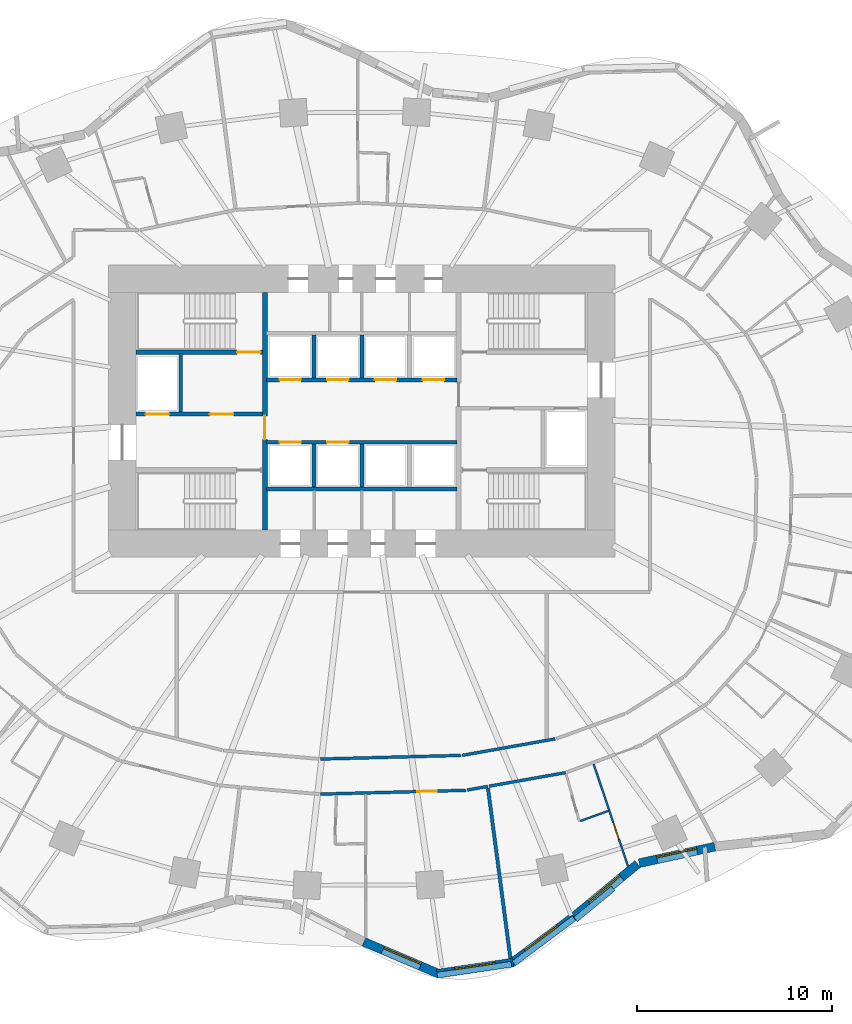
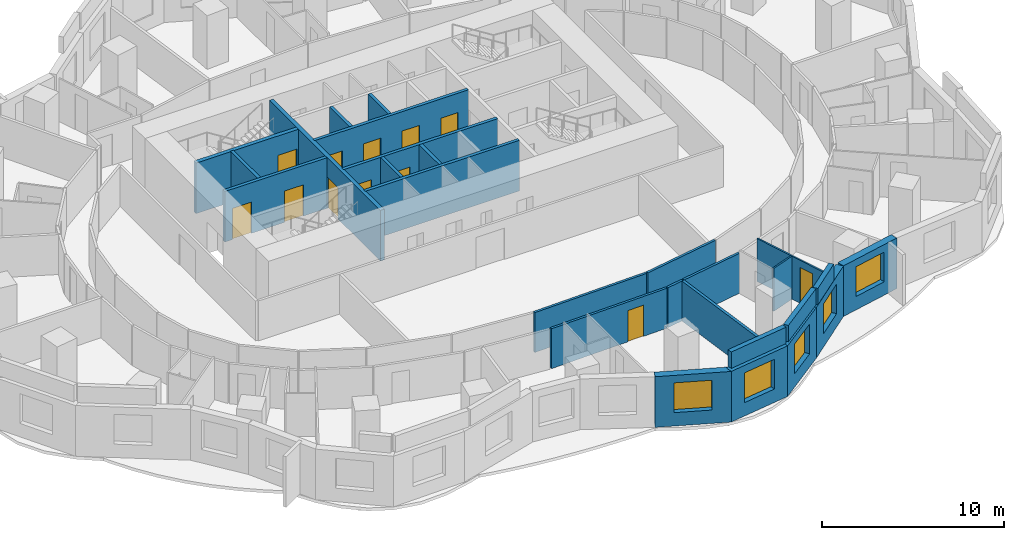
# One storey, part 5 of 11: 27 walls, 12 doors, 5 windows, 17 openings.
"""IFC4 building model written with IfcOpenShell, lengths in metres."""

from ifc_helpers import new_model, si_unit, direction, frame, frame_2d, origin, place, context, subcontext, project, spatial, rectangle, extrude, material, layer, layer_set, type_object, element, fill, save


model = new_model("IFC4")

# Units and contexts
model_context = context("Model", 3, precision=1e-05, world=origin(), true_north=direction((0.0, 1.0)))
body_context = subcontext(model_context, "Body", "Model", "MODEL_VIEW")
ifc_project = project(units=[si_unit("LENGTHUNIT", "METRE"), si_unit("AREAUNIT", "SQUARE_METRE"), si_unit("VOLUMEUNIT", "CUBIC_METRE"), si_unit("PLANEANGLEUNIT", "RADIAN"), si_unit("MASSUNIT", "GRAM", prefix="KILO")], contexts=[model_context])

# Site, building, storey
site_placement = place(None, origin())
site = spatial("IfcSite", under=ifc_project, at=site_placement, CompositionType="ELEMENT")
building_placement = place(site_placement, origin())
building = spatial("IfcBuilding", under=site, at=building_placement, Name="Rubra Terraces Tower", CompositionType="ELEMENT")
storey_placement = place(building_placement, frame((0.0, 0.0, 37.5)))
storey = spatial("IfcBuildingStorey", under=building, at=storey_placement, Name="L06", CompositionType="ELEMENT", Elevation=37.5)

# Wall
ifc_material_1 = material(Name="Twin plasterboard on staggered steel stud, acoustic mineral wool", Category="steel")
ifc_layer_1 = layer(ifc_material_1, 0.175048828125)
ifc_layer_set_1 = layer_set([ifc_layer_1], Name="Twin plasterboard on staggered steel stud, acoustic mineral wool")
wall_type_1 = type_object("IfcWallType", Name="ACOUSTIC PARTY WALL 175", PredefinedType="PARTITIONING", material=ifc_layer_set_1)
wall_1_placement = place(storey_placement, frame((7.632568359375, -23.60791015625, 0.0), z_axis=(0.0, 0.0, 1.0), x_axis=(-0.130729762954, 0.991418039516, 0.0)))
element("IfcWall", 1, at=wall_1_placement, inside=storey, type_object=wall_type_1, Name="PARTITION", PredefinedType="PARTITIONING", context=body_context, shape_type="SweptSolid", body=[
    extrude(rectangle(XDim=8.83349609375, YDim=0.175048828125, at=frame_2d((4.416748046875, 0.0))), origin(), (0.0, 0.0, 1.0), 2.679931640625),
])

# Wall, opening, window
ifc_material_2 = material(Name="Brick masonry red-brown", Category="masonry")
ifc_layer_2 = layer(ifc_material_2, 0.449951171875)
ifc_layer_set_2 = layer_set([ifc_layer_2], Name="Brick masonry red-brown")
wall_type_2 = type_object("IfcWallType", Name="Brick facade wall 450", PredefinedType="SOLIDWALL", material=ifc_layer_set_2)
wall_2_placement = place(storey_placement, frame((0.103271484375, -22.7578125, 0.0), z_axis=(0.0, 0.0, 1.0), x_axis=(0.920037498786, -0.391830321475, 0.0)))
wall_2 = element("IfcWall", 2, at=wall_2_placement, inside=storey, type_object=wall_type_2, Name="Facade wall L06 bay 31", PredefinedType="SOLIDWALL", context=body_context, shape_type="SweptSolid", body=[
    extrude(rectangle(XDim=4.219482421875, YDim=0.449951171875, at=frame_2d((2.10986328125, 0.0))), origin(), (0.0, 0.0, 1.0), 3.39990234375),
])
opening_1_placement = place(wall_2_placement, frame((1.059814453125, 0.0, 0.89990234375)))
opening_1 = element("IfcOpeningElement", 3, at=opening_1_placement, cuts=wall_2, Name="Opening W1", PredefinedType="OPENING", context=body_context, shape_type="SweptSolid", body=[
    extrude(rectangle(XDim=2.10009765625, YDim=2.0, at=frame_2d((1.050048828125, 1.0))), frame((0.0, 0.23486328125, 0.0), z_axis=(0.0, -1.0, 0.0), x_axis=(1.0, 0.0, 0.0)), (0.0, 0.0, 1.0), 0.469970703125),
])
ifc_material_3 = material(Name="Clear glass in aluminium frame", Category="aluminium")
window_type = type_object("IfcWindowType", Name="Fixed deep-set window 2100 x 2000", PartitioningType="SINGLE_PANEL", PredefinedType="WINDOW", material=ifc_material_3)
window_1_placement = place(opening_1_placement, origin())
window_1 = element("IfcWindow", 4, at=window_1_placement, inside=storey, type_object=window_type, Name="Window L06 bay 31", OverallHeight=2.0, OverallWidth=2.10009765625, PartitioningType="SINGLE_PANEL", PredefinedType="WINDOW", context=body_context, shape_type="SweptSolid", body=[
    extrude(rectangle(XDim=2.10009765625, YDim=2.0, at=frame_2d((1.050048828125, 1.0))), frame((0.0, 0.135009765625, 0.0), z_axis=(0.0, -1.0, 0.0), x_axis=(1.0, 0.0, 0.0)), (0.0, 0.0, 1.0), 0.06005859375),
])
fill(opening_1, window_1)

wall_3_placement = place(storey_placement, frame((3.8662109375, -24.396484375, 0.0), z_axis=(0.0, 0.0, 1.0), x_axis=(0.989255112942, 0.146199594798, 0.0)))
wall_3 = element("IfcWall", 5, at=wall_3_placement, inside=storey, type_object=wall_type_2, Name="Facade wall L06 bay 32", PredefinedType="SOLIDWALL", context=body_context, shape_type="SweptSolid", body=[
    extrude(rectangle(XDim=3.954345703125, YDim=0.449951171875, at=frame_2d((1.97705078125, 0.0))), origin(), (0.0, 0.0, 1.0), 3.39990234375),
])
opening_2_placement = place(wall_3_placement, frame((0.92724609375, 0.0, 0.89990234375)))
opening_2 = element("IfcOpeningElement", 6, at=opening_2_placement, cuts=wall_3, Name="Opening W1", PredefinedType="OPENING", context=body_context, shape_type="SweptSolid", body=[
    extrude(rectangle(XDim=2.10009765625, YDim=2.0, at=frame_2d((1.050048828125, 1.0))), frame((0.0, 0.23486328125, 0.0), z_axis=(0.0, -1.0, 0.0), x_axis=(1.0, 0.0, 0.0)), (0.0, 0.0, 1.0), 0.469970703125),
])
window_2_placement = place(opening_2_placement, origin())
window_2 = element("IfcWindow", 7, at=window_2_placement, inside=storey, type_object=window_type, Name="Window L06 bay 32", OverallHeight=2.0, OverallWidth=2.10009765625, PartitioningType="SINGLE_PANEL", PredefinedType="WINDOW", context=body_context, shape_type="SweptSolid", body=[
    extrude(rectangle(XDim=2.10009765625, YDim=2.0, at=frame_2d((1.050048828125, 1.0))), frame((0.0, 0.135009765625, 0.0), z_axis=(0.0, -1.0, 0.0), x_axis=(1.0, 0.0, 0.0)), (0.0, 0.0, 1.0), 0.06005859375),
])
fill(opening_2, window_2)

wall_4_placement = place(storey_placement, frame((7.678466796875, -23.859130859375, 0.0), z_axis=(0.0, 0.0, 1.0), x_axis=(0.801665619573, 0.597772728046, 0.0)))
wall_4 = element("IfcWall", 8, at=wall_4_placement, inside=storey, type_object=wall_type_2, Name="Facade wall L06 bay 33", PredefinedType="SOLIDWALL", context=body_context, shape_type="SweptSolid", body=[
    extrude(rectangle(XDim=4.0029296875, YDim=0.449951171875, at=frame_2d((2.00146484375, 0.0))), origin(), (0.0, 0.0, 1.0), 3.39990234375),
])
opening_3_placement = place(wall_4_placement, frame((0.951416015625, 0.0, 0.89990234375)))
opening_3 = element("IfcOpeningElement", 9, at=opening_3_placement, cuts=wall_4, Name="Opening W1", PredefinedType="OPENING", context=body_context, shape_type="SweptSolid", body=[
    extrude(rectangle(XDim=2.10009765625, YDim=2.0, at=frame_2d((1.050048828125, 1.0))), frame((0.0, 0.23486328125, 0.0), z_axis=(0.0, -1.0, 0.0), x_axis=(1.0, 0.0, 0.0)), (0.0, 0.0, 1.0), 0.469970703125),
])
window_3_placement = place(opening_3_placement, origin())
window_3 = element("IfcWindow", 10, at=window_3_placement, inside=storey, type_object=window_type, Name="Window L06 bay 33", OverallHeight=2.0, OverallWidth=2.10009765625, PartitioningType="SINGLE_PANEL", PredefinedType="WINDOW", context=body_context, shape_type="SweptSolid", body=[
    extrude(rectangle(XDim=2.10009765625, YDim=2.0, at=frame_2d((1.050048828125, 1.0))), frame((0.0, 0.135009765625, 0.0), z_axis=(0.0, -1.0, 0.0), x_axis=(1.0, 0.0, 0.0)), (0.0, 0.0, 1.0), 0.06005859375),
])
fill(opening_3, window_3)

wall_5_placement = place(storey_placement, frame((10.878662109375, -21.473388671875, 0.0), z_axis=(0.0, 0.0, 1.0), x_axis=(0.77124668946, 0.636536365023, 0.0)))
wall_5 = element("IfcWall", 11, at=wall_5_placement, inside=storey, type_object=wall_type_2, Name="Facade wall L06 bay 34", PredefinedType="SOLIDWALL", context=body_context, shape_type="SweptSolid", body=[
    extrude(rectangle(XDim=4.2607421875, YDim=0.449951171875, at=frame_2d((2.13037109375, 0.0))), origin(), (0.0, 0.0, 1.0), 3.39990234375),
])
opening_4_placement = place(wall_5_placement, frame((1.080322265625, 0.0, 0.89990234375)))
opening_4 = element("IfcOpeningElement", 12, at=opening_4_placement, cuts=wall_5, Name="Opening W1", PredefinedType="OPENING", context=body_context, shape_type="SweptSolid", body=[
    extrude(rectangle(XDim=2.10009765625, YDim=2.0, at=frame_2d((1.050048828125, 1.0))), frame((0.0, 0.23486328125, 0.0), z_axis=(0.0, -1.0, 0.0), x_axis=(1.0, 0.0, 0.0)), (0.0, 0.0, 1.0), 0.469970703125),
])
window_4_placement = place(opening_4_placement, origin())
window_4 = element("IfcWindow", 13, at=window_4_placement, inside=storey, type_object=window_type, Name="Window L06 bay 34", OverallHeight=2.0, OverallWidth=2.10009765625, PartitioningType="SINGLE_PANEL", PredefinedType="WINDOW", context=body_context, shape_type="SweptSolid", body=[
    extrude(rectangle(XDim=2.10009765625, YDim=2.0, at=frame_2d((1.050048828125, 1.0))), frame((0.0, 0.135009765625, 0.0), z_axis=(0.0, -1.0, 0.0), x_axis=(1.0, 0.0, 0.0)), (0.0, 0.0, 1.0), 0.06005859375),
])
fill(opening_4, window_4)

wall_6_placement = place(storey_placement, frame((14.250732421875, -18.71826171875, 0.0), z_axis=(0.0, 0.0, 1.0), x_axis=(0.976903627618, 0.213680374267, 0.0)))
wall_6 = element("IfcWall", 14, at=wall_6_placement, inside=storey, type_object=wall_type_2, Name="Facade wall L06 bay 35", PredefinedType="SOLIDWALL", context=body_context, shape_type="SweptSolid", body=[
    extrude(rectangle(XDim=3.970458984375, YDim=0.449951171875, at=frame_2d((1.9853515625, 0.0))), origin(), (0.0, 0.0, 1.0), 3.39990234375),
])
opening_5_placement = place(wall_6_placement, frame((0.93505859375, 0.0, 0.89990234375)))
opening_5 = element("IfcOpeningElement", 15, at=opening_5_placement, cuts=wall_6, Name="Opening W1", PredefinedType="OPENING", context=body_context, shape_type="SweptSolid", body=[
    extrude(rectangle(XDim=2.10009765625, YDim=2.0, at=frame_2d((1.050048828125, 1.0))), frame((0.0, 0.23486328125, 0.0), z_axis=(0.0, -1.0, 0.0), x_axis=(1.0, 0.0, 0.0)), (0.0, 0.0, 1.0), 0.469970703125),
])
window_5_placement = place(opening_5_placement, origin())
window_5 = element("IfcWindow", 16, at=window_5_placement, inside=storey, type_object=window_type, Name="Window L06 bay 35", OverallHeight=2.0, OverallWidth=2.10009765625, PartitioningType="SINGLE_PANEL", PredefinedType="WINDOW", context=body_context, shape_type="SweptSolid", body=[
    extrude(rectangle(XDim=2.10009765625, YDim=2.0, at=frame_2d((1.050048828125, 1.0))), frame((0.0, 0.135009765625, 0.0), z_axis=(0.0, -1.0, 0.0), x_axis=(1.0, 0.0, 0.0)), (0.0, 0.0, 1.0), 0.06005859375),
])
fill(opening_5, window_5)

# Walls
ifc_layer_3 = layer(ifc_material_2, 0.300048828125)
ifc_layer_set_3 = layer_set([ifc_layer_3], Name="Brick masonry red-brown")
wall_type_3 = type_object("IfcWallType", Name="Brick parapet 300", PredefinedType="PARAPET", material=ifc_layer_set_3)
wall_7_placement = place(storey_placement, frame((3.877197265625, -24.470703125, 3.60009765625), z_axis=(0.0, 0.0, 1.0), x_axis=(0.989252791024, 0.146215305118, 0.0)))
element("IfcWall", 17, at=wall_7_placement, inside=storey, type_object=wall_type_3, Name="Parapet L06 bay 32", PredefinedType="PARAPET", context=body_context, shape_type="SweptSolid", body=[
    extrude(rectangle(XDim=3.8486328125, YDim=0.300048828125, at=frame_2d((1.92431640625, 0.0))), origin(), (0.0, 0.0, 1.0), 1.099853515625),
])
wall_8_placement = place(storey_placement, frame((7.80615234375, -23.857666015625, 3.60009765625), z_axis=(0.0, 0.0, 1.0), x_axis=(0.801649538596, 0.597794293439, 0.0)))
element("IfcWall", 18, at=wall_8_placement, inside=storey, type_object=wall_type_3, Name="Parapet L06 bay 33", PredefinedType="PARAPET", context=body_context, shape_type="SweptSolid", body=[
    extrude(rectangle(XDim=3.86474609375, YDim=0.300048828125, at=frame_2d((1.932373046875, 0.0))), origin(), (0.0, 0.0, 1.0), 1.099853515625),
])
wall_9_placement = place(storey_placement, frame((10.981689453125, -21.60107421875, 3.60009765625), z_axis=(0.0, 0.0, 1.0), x_axis=(0.771295342686, 0.636477410715, 0.0)))
element("IfcWall", 19, at=wall_9_placement, inside=storey, type_object=wall_type_3, Name="Parapet L06 bay 34", PredefinedType="PARAPET", context=body_context, shape_type="SweptSolid", body=[
    extrude(rectangle(XDim=2.4990234375, YDim=0.300048828125, at=frame_2d((1.24951171875, 0.0))), origin(), (0.0, 0.0, 1.0), 1.099853515625),
])

# Wall, opening, door
ifc_material_4 = material(Name="Plasterboard on steel stud, mineral wool infill", Category="steel")
ifc_layer_4 = layer(ifc_material_4, 0.14990234375)
ifc_layer_set_4 = layer_set([ifc_layer_4], Name="Plasterboard on steel stud, mineral wool infill")
wall_type_4 = type_object("IfcWallType", Name="CORRIDOR PARTITION 150", PredefinedType="PARTITIONING", material=ifc_layer_set_4)
wall_10_placement = place(storey_placement, frame((-2.114013671875, -15.170166015625, 0.0), z_axis=(0.0, 0.0, 1.0), x_axis=(0.999661895531, 0.026001819598, 0.0)))
wall_10 = element("IfcWall", 20, at=wall_10_placement, inside=storey, type_object=wall_type_4, Name="PARTITION", PredefinedType="PARTITIONING", context=body_context, shape_type="SweptSolid", body=[
    extrude(rectangle(XDim=7.455078125, YDim=0.14990234375, at=frame_2d((3.7275390625, 0.0))), origin(), (0.0, 0.0, 1.0), 2.679931640625),
])
opening_6_placement = place(wall_10_placement, frame((4.9541015625, 0.0, 0.0)))
opening_6 = element("IfcOpeningElement", 21, at=opening_6_placement, cuts=wall_10, Name="Opening 06-125", PredefinedType="OPENING", context=body_context, shape_type="SweptSolid", body=[
    extrude(rectangle(XDim=1.0, YDim=2.10009765625, at=frame_2d((0.5, 1.050048828125))), frame((0.0, 0.0849609375, 0.0), z_axis=(0.0, -1.0, 0.0), x_axis=(1.0, 0.0, 0.0)), (0.0, 0.0, 1.0), 0.169921875),
])
ifc_material_5 = material(Name="Painted timber door leaf", Category="wood")
door_type_1 = type_object("IfcDoorType", Name="ROOM DOOR 1000 X 2100", OperationType="SINGLE_SWING_LEFT", PredefinedType="DOOR", material=ifc_material_5)
door_1_placement = place(opening_6_placement, origin())
door_1 = element("IfcDoor", 22, at=door_1_placement, inside=storey, type_object=door_type_1, Name="DOOR 06-125", OperationType="SINGLE_SWING_RIGHT", OverallHeight=2.10009765625, OverallWidth=1.0, PredefinedType="DOOR", context=body_context, shape_type="SweptSolid", body=[
    extrude(rectangle(XDim=1.0, YDim=2.10009765625, at=frame_2d((0.5, 1.050048828125))), frame((0.0, 0.02490234375, 0.0), z_axis=(0.0, -1.0, 0.0), x_axis=(1.0, 0.0, 0.0)), (0.0, 0.0, 1.0), 0.050048828125),
])
fill(opening_6, door_1)

# Walls
wall_11_placement = place(storey_placement, frame((5.41259765625, -14.963134765625, 0.0), z_axis=(0.0, 0.0, 1.0), x_axis=(0.984622634161, 0.174694786121, 0.0)))
element("IfcWall", 23, at=wall_11_placement, inside=storey, type_object=wall_type_4, Name="PARTITION", PredefinedType="PARTITIONING", context=body_context, shape_type="SweptSolid", body=[
    extrude(rectangle(XDim=1.072021484375, YDim=0.14990234375, at=frame_2d((0.5361328125, 0.0))), origin(), (0.0, 0.0, 1.0), 2.679931640625),
])
wall_12_placement = place(storey_placement, frame((6.5419921875, -14.762939453125, 0.0), z_axis=(0.0, 0.0, 1.0), x_axis=(0.984628016341, 0.174664448116, 0.0)))
element("IfcWall", 24, at=wall_12_placement, inside=storey, type_object=wall_type_4, Name="PARTITION", PredefinedType="PARTITIONING", context=body_context, shape_type="SweptSolid", body=[
    extrude(rectangle(XDim=3.991943359375, YDim=0.14990234375, at=frame_2d((1.99609375, 0.0))), origin(), (0.0, 0.0, 1.0), 2.679931640625),
])
wall_13_placement = place(storey_placement, frame((9.93017578125, -12.333984375, 0.0), z_axis=(0.0, 0.0, 1.0), x_axis=(-0.984638212434, -0.174606960386, 0.0)))
element("IfcWall", 25, at=wall_13_placement, inside=storey, type_object=wall_type_4, Name="PARTITION", PredefinedType="PARTITIONING", context=body_context, shape_type="SweptSolid", body=[
    extrude(rectangle(XDim=4.84765625, YDim=0.14990234375, at=frame_2d((2.423828125, 0.0))), origin(), (0.0, 0.0, 1.0), 2.679931640625),
])
wall_14_placement = place(storey_placement, frame((5.08203125, -13.182373046875, 0.0), z_axis=(0.0, 0.0, 1.0), x_axis=(-0.999661624383, -0.026012242045, 0.0)))
element("IfcWall", 26, at=wall_14_placement, inside=storey, type_object=wall_type_4, Name="PARTITION", PredefinedType="PARTITIONING", context=body_context, shape_type="SweptSolid", body=[
    extrude(rectangle(XDim=7.217529296875, YDim=0.14990234375, at=frame_2d((3.60888671875, 0.0))), origin(), (0.0, 0.0, 1.0), 2.679931640625),
])

# Wall, openings, doors
ifc_material_6 = material(Name="Concrete C30", Category="concrete")
ifc_layer_5 = layer(ifc_material_6, 0.199951171875)
ifc_layer_set_5 = layer_set([ifc_layer_5], Name="Concrete C30")
wall_type_5 = type_object("IfcWallType", Name="Core wall 200 concrete", PredefinedType="SOLIDWALL", material=ifc_layer_set_5)
wall_15_placement = place(storey_placement, frame((-11.60009765625, 4.35009765625, 0.0), z_axis=(0.0, 0.0, 1.0), x_axis=(1.0, 0.0, 0.0)))
wall_15 = element("IfcWall", 27, at=wall_15_placement, inside=storey, type_object=wall_type_5, Name="STAIR WALL L06", PredefinedType="SOLIDWALL", context=body_context, shape_type="SweptSolid", body=[
    extrude(rectangle(XDim=6.5, YDim=0.199951171875, at=frame_2d((3.25, 0.0))), origin(), (0.0, 0.0, 1.0), 3.39990234375),
])
opening_7_placement = place(wall_15_placement, frame((3.800048828125, 0.0, 0.0)))
opening_7 = element("IfcOpeningElement", 28, at=opening_7_placement, cuts=wall_15, Name="Opening L06.C05", PredefinedType="OPENING", context=body_context, shape_type="SweptSolid", body=[
    extrude(rectangle(XDim=1.199951171875, YDim=2.10009765625, at=frame_2d((0.60009765625, 1.050048828125))), frame((0.0, 0.10986328125, 0.0), z_axis=(0.0, -1.0, 0.0), x_axis=(1.0, 0.0, 0.0)), (0.0, 0.0, 1.0), 0.219970703125),
])
opening_8_placement = place(wall_15_placement, frame((0.5, 0.0, 0.0)))
opening_8 = element("IfcOpeningElement", 29, at=opening_8_placement, cuts=wall_15, Name="Opening L06.C11", PredefinedType="OPENING", context=body_context, shape_type="SweptSolid", body=[
    extrude(rectangle(XDim=1.199951171875, YDim=2.10009765625, at=frame_2d((0.60009765625, 1.050048828125))), frame((0.0, 0.10986328125, 0.0), z_axis=(0.0, -1.0, 0.0), x_axis=(1.0, 0.0, 0.0)), (0.0, 0.0, 1.0), 0.219970703125),
])
ifc_material_7 = material(Name="Painted steel", Category="steel")
door_type_2 = type_object("IfcDoorType", Name="Fire door 1200x2100 single", OperationType="NOTDEFINED", PredefinedType="DOOR", material=ifc_material_7)
door_2_placement = place(opening_7_placement, origin())
door_2 = element("IfcDoor", 30, at=door_2_placement, inside=storey, type_object=door_type_2, Name="Stair vestibule door S2", OperationType="SINGLE_SWING_LEFT", OverallHeight=2.10009765625, OverallWidth=1.199951171875, PredefinedType="DOOR", context=body_context, shape_type="SweptSolid", body=[
    extrude(rectangle(XDim=1.199951171875, YDim=2.10009765625, at=frame_2d((0.60009765625, 1.050048828125))), frame((0.0, 0.02490234375, 0.0), z_axis=(0.0, -1.0, 0.0), x_axis=(1.0, 0.0, 0.0)), (0.0, 0.0, 1.0), 0.050048828125),
])
fill(opening_7, door_2)
ifc_material_8 = material(Name="Stainless steel", Category="steel")
door_type_3 = type_object("IfcDoorType", Name="Lift landing door 1200x2100", OperationType="NOTDEFINED", PredefinedType="DOOR", material=ifc_material_8)
door_3_placement = place(opening_8_placement, origin())
door_3 = element("IfcDoor", 31, at=door_3_placement, inside=storey, type_object=door_type_3, Name="Landing door FF1", OperationType="SLIDING_TO_RIGHT", OverallHeight=2.10009765625, OverallWidth=1.199951171875, PredefinedType="DOOR", context=body_context, shape_type="SweptSolid", body=[
    extrude(rectangle(XDim=1.199951171875, YDim=2.10009765625, at=frame_2d((0.60009765625, 1.050048828125))), frame((0.0, 0.02490234375, 0.0), z_axis=(0.0, -1.0, 0.0), x_axis=(1.0, 0.0, 0.0)), (0.0, 0.0, 1.0), 0.050048828125),
])
fill(opening_8, door_3)

# Walls
wall_16_placement = place(storey_placement, frame((-9.300048828125, 4.449951171875, 0.0), z_axis=(0.0, 0.0, 1.0), x_axis=(0.0, 1.0, 0.0)))
element("IfcWall", 32, at=wall_16_placement, inside=storey, type_object=wall_type_5, Name="STAIR WALL L06", PredefinedType="SOLIDWALL", context=body_context, shape_type="SweptSolid", body=[
    extrude(rectangle(XDim=3.0, YDim=0.199951171875, at=frame_2d((1.5, 0.0))), origin(), (0.0, 0.0, 1.0), 3.39990234375),
])
wall_17_placement = place(storey_placement, frame((-4.89990234375, 0.5, 0.0), z_axis=(0.0, 0.0, 1.0), x_axis=(1.0, 0.0, 0.0)))
element("IfcWall", 33, at=wall_17_placement, inside=storey, type_object=wall_type_5, Name="LIFT SHAFT WALL L06", PredefinedType="SOLIDWALL", context=body_context, shape_type="SweptSolid", body=[
    extrude(rectangle(XDim=9.7998046875, YDim=0.199951171875, at=frame_2d((4.89990234375, 0.0))), origin(), (0.0, 0.0, 1.0), 3.39990234375),
])

# Wall, openings, doors
wall_18_placement = place(storey_placement, frame((-4.89990234375, 2.89990234375, 0.0), z_axis=(0.0, 0.0, 1.0), x_axis=(1.0, 0.0, 0.0)))
wall_18 = element("IfcWall", 34, at=wall_18_placement, inside=storey, type_object=wall_type_5, Name="LIFT SHAFT WALL L06", PredefinedType="SOLIDWALL", context=body_context, shape_type="SweptSolid", body=[
    extrude(rectangle(XDim=9.7998046875, YDim=0.199951171875, at=frame_2d((4.89990234375, 0.0))), origin(), (0.0, 0.0, 1.0), 3.39990234375),
])
opening_9_placement = place(wall_18_placement, frame((0.675048828125, 0.0, 0.0)))
opening_9 = element("IfcOpeningElement", 35, at=opening_9_placement, cuts=wall_18, Name="Opening L06.C13", PredefinedType="OPENING", context=body_context, shape_type="SweptSolid", body=[
    extrude(rectangle(XDim=1.10009765625, YDim=2.10009765625, at=frame_2d((0.550048828125, 1.050048828125))), frame((0.0, 0.10986328125, 0.0), z_axis=(0.0, -1.0, 0.0), x_axis=(1.0, 0.0, 0.0)), (0.0, 0.0, 1.0), 0.219970703125),
])
opening_10_placement = place(wall_18_placement, frame((3.125, 0.0, 0.0)))
opening_10 = element("IfcOpeningElement", 36, at=opening_10_placement, cuts=wall_18, Name="Opening L06.C14", PredefinedType="OPENING", context=body_context, shape_type="SweptSolid", body=[
    extrude(rectangle(XDim=1.10009765625, YDim=2.10009765625, at=frame_2d((0.550048828125, 1.050048828125))), frame((0.0, 0.10986328125, 0.0), z_axis=(0.0, -1.0, 0.0), x_axis=(1.0, 0.0, 0.0)), (0.0, 0.0, 1.0), 0.219970703125),
])
door_type_4 = type_object("IfcDoorType", Name="Lift landing door 1100x2100", OperationType="NOTDEFINED", PredefinedType="DOOR", material=ifc_material_8)
door_4_placement = place(opening_9_placement, origin())
door_4 = element("IfcDoor", 37, at=door_4_placement, inside=storey, type_object=door_type_4, Name="Landing door LB1", OperationType="SLIDING_TO_RIGHT", OverallHeight=2.10009765625, OverallWidth=1.10009765625, PredefinedType="DOOR", context=body_context, shape_type="SweptSolid", body=[
    extrude(rectangle(XDim=1.10009765625, YDim=2.10009765625, at=frame_2d((0.550048828125, 1.050048828125))), frame((0.0, 0.02490234375, 0.0), z_axis=(0.0, -1.0, 0.0), x_axis=(1.0, 0.0, 0.0)), (0.0, 0.0, 1.0), 0.050048828125),
])
fill(opening_9, door_4)
door_5_placement = place(opening_10_placement, origin())
door_5 = element("IfcDoor", 38, at=door_5_placement, inside=storey, type_object=door_type_4, Name="Landing door LB2", OperationType="SLIDING_TO_LEFT", OverallHeight=2.10009765625, OverallWidth=1.10009765625, PredefinedType="DOOR", context=body_context, shape_type="SweptSolid", body=[
    extrude(rectangle(XDim=1.10009765625, YDim=2.10009765625, at=frame_2d((0.550048828125, 1.050048828125))), frame((0.0, 0.02490234375, 0.0), z_axis=(0.0, -1.0, 0.0), x_axis=(1.0, 0.0, 0.0)), (0.0, 0.0, 1.0), 0.050048828125),
])
fill(opening_10, door_5)

wall_19_placement = place(storey_placement, frame((-4.89990234375, 6.10009765625, 0.0), z_axis=(0.0, 0.0, 1.0), x_axis=(1.0, 0.0, 0.0)))
wall_19 = element("IfcWall", 39, at=wall_19_placement, inside=storey, type_object=wall_type_5, Name="LIFT SHAFT WALL L06", PredefinedType="SOLIDWALL", context=body_context, shape_type="SweptSolid", body=[
    extrude(rectangle(XDim=9.7998046875, YDim=0.199951171875, at=frame_2d((4.89990234375, 0.0))), origin(), (0.0, 0.0, 1.0), 3.39990234375),
])
opening_11_placement = place(wall_19_placement, frame((0.675048828125, 0.0, 0.0)))
opening_11 = element("IfcOpeningElement", 40, at=opening_11_placement, cuts=wall_19, Name="Opening L06.C15", PredefinedType="OPENING", context=body_context, shape_type="SweptSolid", body=[
    extrude(rectangle(XDim=1.10009765625, YDim=2.10009765625, at=frame_2d((0.550048828125, 1.050048828125))), frame((0.0, 0.10986328125, 0.0), z_axis=(0.0, -1.0, 0.0), x_axis=(1.0, 0.0, 0.0)), (0.0, 0.0, 1.0), 0.219970703125),
])
opening_12_placement = place(wall_19_placement, frame((3.125, 0.0, 0.0)))
opening_12 = element("IfcOpeningElement", 41, at=opening_12_placement, cuts=wall_19, Name="Opening L06.C16", PredefinedType="OPENING", context=body_context, shape_type="SweptSolid", body=[
    extrude(rectangle(XDim=1.10009765625, YDim=2.10009765625, at=frame_2d((0.550048828125, 1.050048828125))), frame((0.0, 0.10986328125, 0.0), z_axis=(0.0, -1.0, 0.0), x_axis=(1.0, 0.0, 0.0)), (0.0, 0.0, 1.0), 0.219970703125),
])
opening_13_placement = place(wall_19_placement, frame((5.574951171875, 0.0, 0.0)))
opening_13 = element("IfcOpeningElement", 42, at=opening_13_placement, cuts=wall_19, Name="Opening L06.C17", PredefinedType="OPENING", context=body_context, shape_type="SweptSolid", body=[
    extrude(rectangle(XDim=1.10009765625, YDim=2.10009765625, at=frame_2d((0.550048828125, 1.050048828125))), frame((0.0, 0.10986328125, 0.0), z_axis=(0.0, -1.0, 0.0), x_axis=(1.0, 0.0, 0.0)), (0.0, 0.0, 1.0), 0.219970703125),
])
opening_14_placement = place(wall_19_placement, frame((8.02490234375, 0.0, 0.0)))
opening_14 = element("IfcOpeningElement", 43, at=opening_14_placement, cuts=wall_19, Name="Opening L06.C18", PredefinedType="OPENING", context=body_context, shape_type="SweptSolid", body=[
    extrude(rectangle(XDim=1.10009765625, YDim=2.10009765625, at=frame_2d((0.550048828125, 1.050048828125))), frame((0.0, 0.10986328125, 0.0), z_axis=(0.0, -1.0, 0.0), x_axis=(1.0, 0.0, 0.0)), (0.0, 0.0, 1.0), 0.219970703125),
])
door_6_placement = place(opening_11_placement, origin())
door_6 = element("IfcDoor", 44, at=door_6_placement, inside=storey, type_object=door_type_4, Name="Landing door LB3", OperationType="SLIDING_TO_RIGHT", OverallHeight=2.10009765625, OverallWidth=1.10009765625, PredefinedType="DOOR", context=body_context, shape_type="SweptSolid", body=[
    extrude(rectangle(XDim=1.10009765625, YDim=2.10009765625, at=frame_2d((0.550048828125, 1.050048828125))), frame((0.0, 0.02490234375, 0.0), z_axis=(0.0, -1.0, 0.0), x_axis=(1.0, 0.0, 0.0)), (0.0, 0.0, 1.0), 0.050048828125),
])
fill(opening_11, door_6)
door_7_placement = place(opening_12_placement, origin())
door_7 = element("IfcDoor", 45, at=door_7_placement, inside=storey, type_object=door_type_4, Name="Landing door LB4", OperationType="SLIDING_TO_LEFT", OverallHeight=2.10009765625, OverallWidth=1.10009765625, PredefinedType="DOOR", context=body_context, shape_type="SweptSolid", body=[
    extrude(rectangle(XDim=1.10009765625, YDim=2.10009765625, at=frame_2d((0.550048828125, 1.050048828125))), frame((0.0, 0.02490234375, 0.0), z_axis=(0.0, -1.0, 0.0), x_axis=(1.0, 0.0, 0.0)), (0.0, 0.0, 1.0), 0.050048828125),
])
fill(opening_12, door_7)
door_8_placement = place(opening_13_placement, origin())
door_8 = element("IfcDoor", 46, at=door_8_placement, inside=storey, type_object=door_type_4, Name="Landing door LB5", OperationType="SLIDING_TO_RIGHT", OverallHeight=2.10009765625, OverallWidth=1.10009765625, PredefinedType="DOOR", context=body_context, shape_type="SweptSolid", body=[
    extrude(rectangle(XDim=1.10009765625, YDim=2.10009765625, at=frame_2d((0.550048828125, 1.050048828125))), frame((0.0, 0.02490234375, 0.0), z_axis=(0.0, -1.0, 0.0), x_axis=(1.0, 0.0, 0.0)), (0.0, 0.0, 1.0), 0.050048828125),
])
fill(opening_13, door_8)
door_9_placement = place(opening_14_placement, origin())
door_9 = element("IfcDoor", 47, at=door_9_placement, inside=storey, type_object=door_type_4, Name="Landing door LB6", OperationType="SLIDING_TO_LEFT", OverallHeight=2.10009765625, OverallWidth=1.10009765625, PredefinedType="DOOR", context=body_context, shape_type="SweptSolid", body=[
    extrude(rectangle(XDim=1.10009765625, YDim=2.10009765625, at=frame_2d((0.550048828125, 1.050048828125))), frame((0.0, 0.02490234375, 0.0), z_axis=(0.0, -1.0, 0.0), x_axis=(1.0, 0.0, 0.0)), (0.0, 0.0, 1.0), 0.050048828125),
])
fill(opening_14, door_9)

# Walls
for number, where, z_axis, x_axis, name in (
    (48, (-2.449951171875, 0.60009765625, 0.0), (0.0, 0.0, 1.0), (0.0, 1.0, 0.0), "LIFT SHAFT WALL L06"),
    (49, (0.0, 0.60009765625, 0.0), (0.0, 0.0, 1.0), (0.0, 1.0, 0.0), "LIFT SHAFT WALL L06"),
    (50, (-2.449951171875, 6.199951171875, 0.0), (0.0, 0.0, 1.0), (0.0, 1.0, 0.0), "LIFT SHAFT WALL L06"),
    (51, (0.0, 6.199951171875, 0.0), (0.0, 0.0, 1.0), (0.0, 1.0, 0.0), "LIFT SHAFT WALL L06"),
):
    element("IfcWall", number, at=place(storey_placement, frame(where, z_axis=z_axis, x_axis=x_axis)), inside=storey, type_object=wall_type_5, Name=name, PredefinedType="SOLIDWALL", context=body_context, shape_type="SweptSolid", body=[
        extrude(rectangle(XDim=2.199951171875, YDim=0.199951171875, at=frame_2d((1.10009765625, 0.0))), origin(), (0.0, 0.0, 1.0), 3.39990234375),
    ])

# Wall, opening, door
ifc_material_9 = material(Name="Plasterboard on steel stud", Category="steel")
ifc_layer_6 = layer(ifc_material_9, 0.10009765625)
ifc_layer_set_6 = layer_set([ifc_layer_6], Name="Plasterboard on steel stud")
wall_type_6 = type_object("IfcWallType", Name="ROOM PARTITION 100", PredefinedType="PARTITIONING", material=ifc_layer_set_6)
wall_20_placement = place(storey_placement, frame((13.6728515625, -18.875732421875, 0.0), z_axis=(0.0, 0.0, 1.0), x_axis=(-0.318869836417, 0.947798516259, 0.0)))
wall_20 = element("IfcWall", 52, at=wall_20_placement, inside=storey, type_object=wall_type_6, Name="PARTITION", PredefinedType="PARTITIONING", context=body_context, shape_type="SweptSolid", body=[
    extrude(rectangle(XDim=5.541748046875, YDim=0.10009765625, at=frame_2d((2.77099609375, 0.0))), origin(), (0.0, 0.0, 1.0), 2.884033203125),
])
opening_15_placement = place(wall_20_placement, frame((1.467041015625, 0.0, 0.0)))
opening_15 = element("IfcOpeningElement", 53, at=opening_15_placement, cuts=wall_20, Name="Opening 06-127", PredefinedType="OPENING", context=body_context, shape_type="SweptSolid", body=[
    extrude(rectangle(XDim=0.89990234375, YDim=2.39990234375, at=frame_2d((0.449951171875, 1.199951171875))), frame((0.0, 0.06005859375, 0.0), z_axis=(0.0, -1.0, 0.0), x_axis=(1.0, 0.0, 0.0)), (0.0, 0.0, 1.0), 0.1201171875),
])
ifc_material_10 = material(Name="Veneered timber door leaf, fire-rated", Category="wood")
door_type_5 = type_object("IfcDoorType", Name="SUITE ENTRANCE DOOR 900 X 2400", OperationType="SINGLE_SWING_LEFT", PredefinedType="DOOR", material=ifc_material_10)
door_10_placement = place(opening_15_placement, origin())
door_10 = element("IfcDoor", 54, at=door_10_placement, inside=storey, type_object=door_type_5, Name="DOOR 06-127", OperationType="SINGLE_SWING_LEFT", OverallHeight=2.39990234375, OverallWidth=0.89990234375, PredefinedType="DOOR", context=body_context, shape_type="SweptSolid", body=[
    extrude(rectangle(XDim=0.89990234375, YDim=2.39990234375, at=frame_2d((0.449951171875, 1.199951171875))), frame((0.0, 0.02490234375, 0.0), z_axis=(0.0, -1.0, 0.0), x_axis=(1.0, 0.0, 0.0)), (0.0, 0.0, 1.0), 0.050048828125),
])
fill(opening_15, door_10)

# Wall
wall_21_placement = place(storey_placement, frame((11.219482421875, -16.552978515625, 0.0), z_axis=(0.0, 0.0, 1.0), x_axis=(0.940976594902, 0.338471635218, 0.0)))
element("IfcWall", 55, at=wall_21_placement, inside=storey, type_object=wall_type_6, Name="PARTITION", PredefinedType="PARTITIONING", context=body_context, shape_type="SweptSolid", body=[
    extrude(rectangle(XDim=1.534912109375, YDim=0.10009765625, at=frame_2d((0.767578125, 0.0))), origin(), (0.0, 0.0, 1.0), 2.884033203125),
])

# Wall, opening, door
ifc_material_11 = material(Name="Concrete C40", Category="concrete")
ifc_layer_7 = layer(ifc_material_11, 0.25)
ifc_layer_set_7 = layer_set([ifc_layer_7], Name="Concrete C40")
wall_type_7 = type_object("IfcWallType", Name="Stair enclosure wall 250 concrete", PredefinedType="SOLIDWALL", material=ifc_layer_set_7)
wall_22_placement = place(storey_placement, frame((-11.60009765625, 7.52490234375, 0.0), z_axis=(0.0, 0.0, 1.0), x_axis=(1.0, 0.0, 0.0)))
wall_22 = element("IfcWall", 56, at=wall_22_placement, inside=storey, type_object=wall_type_7, Name="STAIR WALL L06", PredefinedType="SOLIDWALL", context=body_context, shape_type="SweptSolid", body=[
    extrude(rectangle(XDim=6.5, YDim=0.25, at=frame_2d((3.25, 0.0))), origin(), (0.0, 0.0, 1.0), 3.39990234375),
])
opening_16_placement = place(wall_22_placement, frame((5.199951171875, 0.0, 0.0)))
opening_16 = element("IfcOpeningElement", 57, at=opening_16_placement, cuts=wall_22, Name="Opening L06.C09", PredefinedType="OPENING", context=body_context, shape_type="SweptSolid", body=[
    extrude(rectangle(XDim=1.199951171875, YDim=2.10009765625, at=frame_2d((0.60009765625, 1.050048828125))), frame((0.0, 0.135009765625, 0.0), z_axis=(0.0, -1.0, 0.0), x_axis=(1.0, 0.0, 0.0)), (0.0, 0.0, 1.0), 0.27001953125),
])
door_11_placement = place(opening_16_placement, origin())
door_11 = element("IfcDoor", 58, at=door_11_placement, inside=storey, type_object=door_type_2, Name="Stair door S2", OperationType="SINGLE_SWING_LEFT", OverallHeight=2.10009765625, OverallWidth=1.199951171875, PredefinedType="DOOR", context=body_context, shape_type="SweptSolid", body=[
    extrude(rectangle(XDim=1.199951171875, YDim=2.10009765625, at=frame_2d((0.60009765625, 1.050048828125))), frame((0.0, 0.02490234375, 0.0), z_axis=(0.0, -1.0, 0.0), x_axis=(1.0, 0.0, 0.0)), (0.0, 0.0, 1.0), 0.050048828125),
])
fill(opening_16, door_11)

wall_23_placement = place(storey_placement, frame((-4.97509765625, -1.60009765625, 0.0), z_axis=(0.0, 0.0, 1.0), x_axis=(0.0, 1.0, 0.0)))
wall_23 = element("IfcWall", 59, at=wall_23_placement, inside=storey, type_object=wall_type_7, Name="CORE LOBBY WALL L06", PredefinedType="SOLIDWALL", context=body_context, shape_type="SweptSolid", body=[
    extrude(rectangle(XDim=12.2001953125, YDim=0.25, at=frame_2d((6.10009765625, 0.0))), origin(), (0.0, 0.0, 1.0), 3.39990234375),
])
opening_17_placement = place(wall_23_placement, frame((4.64990234375, 0.0, 0.0)))
opening_17 = element("IfcOpeningElement", 60, at=opening_17_placement, cuts=wall_23, Name="Opening L06.C03", PredefinedType="OPENING", context=body_context, shape_type="SweptSolid", body=[
    extrude(rectangle(XDim=1.199951171875, YDim=2.10009765625, at=frame_2d((0.60009765625, 1.050048828125))), frame((0.0, 0.135009765625, 0.0), z_axis=(0.0, -1.0, 0.0), x_axis=(1.0, 0.0, 0.0)), (0.0, 0.0, 1.0), 0.27001953125),
])
door_12_placement = place(opening_17_placement, origin())
door_12 = element("IfcDoor", 61, at=door_12_placement, inside=storey, type_object=door_type_2, Name="Firefighting lobby door FF1", OperationType="SINGLE_SWING_LEFT", OverallHeight=2.10009765625, OverallWidth=1.199951171875, PredefinedType="DOOR", context=body_context, shape_type="SweptSolid", body=[
    extrude(rectangle(XDim=1.199951171875, YDim=2.10009765625, at=frame_2d((0.60009765625, 1.050048828125))), frame((0.0, 0.02490234375, 0.0), z_axis=(0.0, -1.0, 0.0), x_axis=(1.0, 0.0, 0.0)), (0.0, 0.0, 1.0), 0.050048828125),
])
fill(opening_17, door_12)

save(model, "model.ifc")
